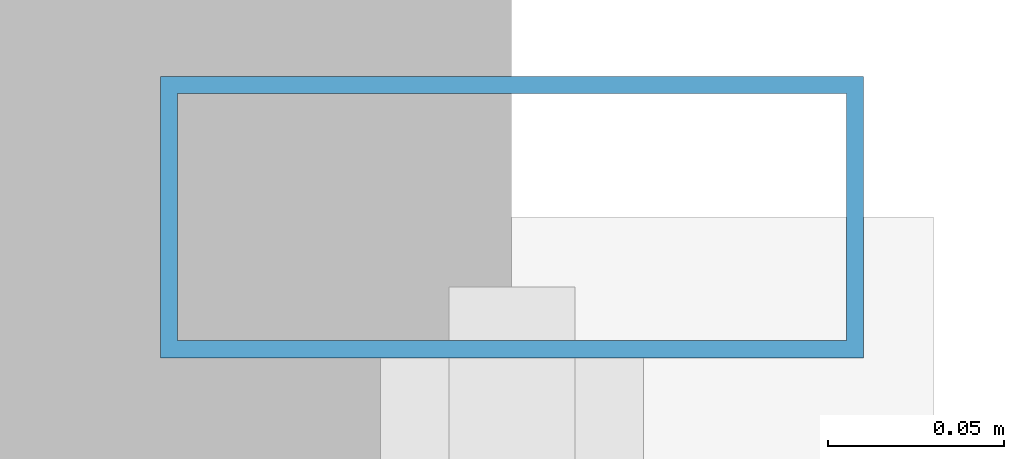
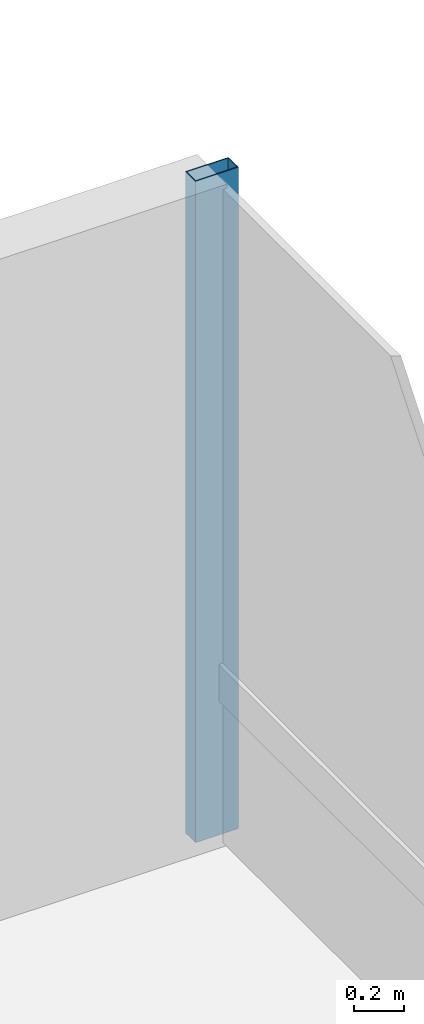
# One storey, part 26 of 34: 1 member, 1 element without a shape of its own.
"""IFC4 building model written with IfcOpenShell, lengths in metres."""

from ifc_helpers import new_model, si_unit, direction, frame, origin, origin_2d, place, context, subcontext, project, spatial, hollow_rectangle, extrude, material, layer, layer_set, material_profile, profile_set, type_object, element, aggregate, save


model = new_model("IFC4")

# Units and contexts
model_context = context("Model", 3, precision=1e-05, world=origin(), true_north=direction((0.0, 1.0)))
body_context = subcontext(model_context, "Body", "Model", "MODEL_VIEW")
ifc_project = project(units=[si_unit("LENGTHUNIT", "METRE"), si_unit("AREAUNIT", "SQUARE_METRE"), si_unit("VOLUMEUNIT", "CUBIC_METRE"), si_unit("PLANEANGLEUNIT", "RADIAN"), si_unit("MASSUNIT", "GRAM", prefix="KILO")], contexts=[model_context])

# Site, building, storey
site_placement = place(None, origin())
site = spatial("IfcSite", under=ifc_project, at=site_placement, CompositionType="ELEMENT")
building_placement = place(site_placement, origin())
building = spatial("IfcBuilding", under=site, at=building_placement, Name="Drelvath Grand Hotel", CompositionType="ELEMENT")
storey_placement = place(building_placement, frame((0.0, 0.0, 91.800048828125)))
storey = spatial("IfcBuildingStorey", under=building, at=storey_placement, Name="L22", CompositionType="ELEMENT", Elevation=91.800048828125)

# Curtain wall, member
ifc_material = material(Name="Champagne Bronze Anodised Aluminium Frame", Category="aluminium")
ifc_layer = layer(ifc_material, 0.199951171875)
ifc_layer_set = layer_set([ifc_layer], Name="Champagne Bronze Anodised Aluminium Frame")
curtain_wall_type = type_object("IfcCurtainWallType", Name="Stick Curtain Wall CW-03 Champagne Bronze Mid-Rise", PredefinedType="NOTDEFINED", material=ifc_layer_set)
curtain_wall_placement = place(storey_placement, origin())
curtain_wall = element("IfcCurtainWall", 1, at=curtain_wall_placement, inside=storey, type_object=curtain_wall_type, Name="L22 CW-03 Curtain Wall CW03-L22-EN3", PredefinedType="NOTDEFINED")
ifc_material_profile = material_profile(ifc_material, hollow_rectangle(XDim=0.080078125, YDim=0.199951171875, WallThickness=0.0048828125, at=origin_2d()), Name="HSS200X80X5")
ifc_profile_set = profile_set([ifc_material_profile], Name="Champagne Bronze Anodised Aluminium Frame")
member_type = type_object("IfcMemberType", Name="Curtain Wall Vertical Mullion CW-03 HSS200X80X5", PredefinedType="MULLION", material=ifc_profile_set)
member_placement = place(storey_placement, frame((22.080078125, 49.5, 0.0), z_axis=(0.0, 0.0, 1.0), x_axis=(0.0, 1.0, 0.0)))
member = element("IfcMember", 2, at=member_placement, type_object=member_type, Name="CW03-L22-EN3 Mullion 1", PredefinedType="MULLION", context=body_context, shape_type="SweptSolid", body=[
    extrude(hollow_rectangle(XDim=0.080078125, YDim=0.199951171875, WallThickness=0.0048828125, at=origin_2d()), origin(), (0.0, 0.0, 1.0), 3.239990234375),
])
aggregate(curtain_wall, [member])

save(model, "model.ifc")
